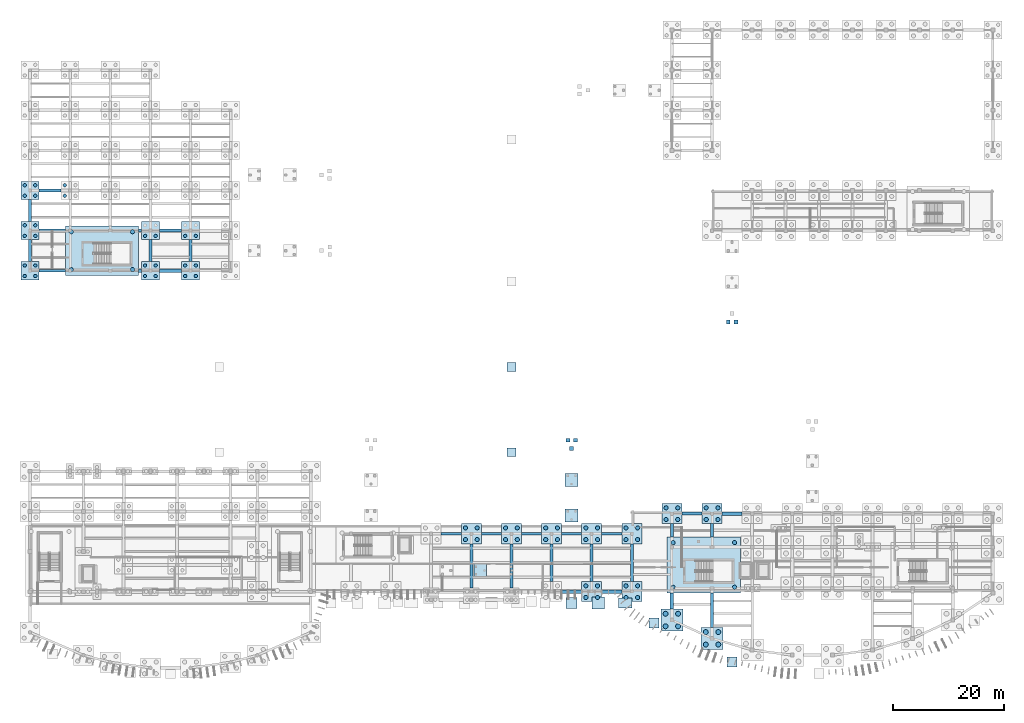
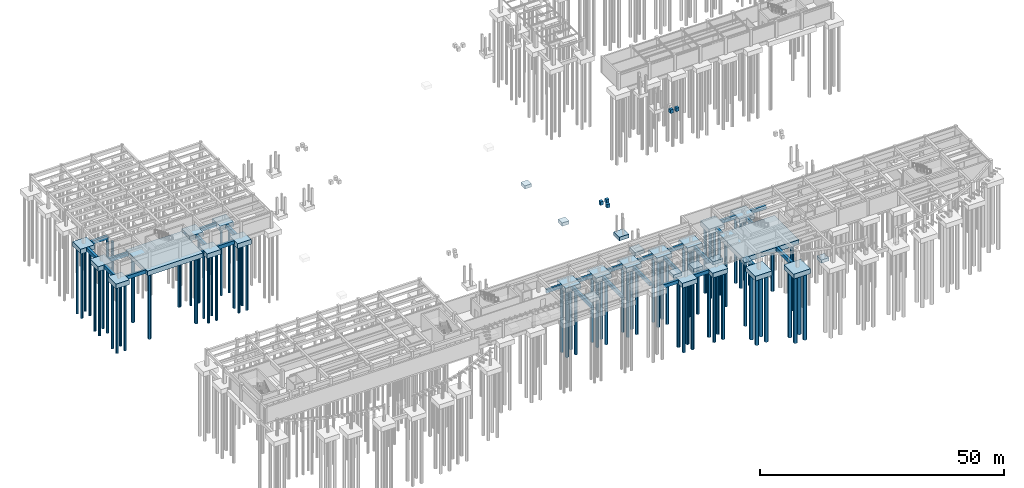
# One storey, part 3 of 31: 78 piles, 64 footings.
"""IFC4 building model written with IfcOpenShell, lengths in metres."""

from ifc_helpers import new_model, si_unit, direction, frame, origin, origin_2d, place, context, subcontext, project, spatial, rectangle, circle, extrude, material, material_profile, profile_set, type_object, element, save


model = new_model("IFC4")

# Units and contexts
model_context = context("Model", 3, precision=1e-05, world=origin(), true_north=direction((0.0, 1.0)))
body_context = subcontext(model_context, "Body", "Model", "MODEL_VIEW")
ifc_project = project(units=[si_unit("LENGTHUNIT", "METRE"), si_unit("AREAUNIT", "SQUARE_METRE"), si_unit("VOLUMEUNIT", "CUBIC_METRE"), si_unit("PLANEANGLEUNIT", "RADIAN"), si_unit("MASSUNIT", "GRAM", prefix="KILO")], contexts=[model_context])

# Site, building, storey
site_placement = place(None, origin())
site = spatial("IfcSite", under=ifc_project, at=site_placement, CompositionType="ELEMENT")
building_placement = place(site_placement, origin())
building = spatial("IfcBuilding", under=site, at=building_placement, Name="Brisavento Harbour Community Centre", CompositionType="ELEMENT")
storey_placement = place(building_placement, frame((0.0, 0.0, -4.199951171875)))
storey = spatial("IfcBuildingStorey", under=building, at=storey_placement, Name="B1", CompositionType="ELEMENT", Elevation=-4.199951171875)

# Footings
ifc_material = material(Name="Concrete C35/45", Category="concrete")
footing_type_1 = type_object("IfcFootingType", Name="FTG-GB-01", PredefinedType="FOOTING_BEAM", material=ifc_material)
for number, where, z_axis, x_axis, name in (
    (1, (75.60009765625, 24.800048828125, -0.89990234375), (0.0, 0.0, 1.0), (1.0, 0.0, 0.0), "Ground tie beam GB-054"),
    (2, (82.800048828125, 24.800048828125, -0.89990234375), (0.0, 0.0, 1.0), (1.0, 0.0, 0.0), "Ground tie beam GB-057"),
    (3, (90.0, 24.800048828125, -0.89990234375), (0.0, 0.0, 1.0), (1.0, 0.0, 0.0), "Ground tie beam GB-060"),
    (4, (97.199951171875, 24.800048828125, -0.89990234375), (0.0, 0.0, 1.0), (1.0, 0.0, 0.0), "Ground tie beam GB-063"),
    (5, (104.39990234375, 24.800048828125, -0.89990234375), (0.0, 0.0, 1.0), (1.0, 0.0, 0.0), "Ground tie beam GB-066"),
):
    element("IfcFooting", number, at=place(storey_placement, frame(where, z_axis=z_axis, x_axis=x_axis)), inside=storey, type_object=footing_type_1, Name=name, PredefinedType="FOOTING_BEAM", context=body_context, shape_type="SweptSolid", body=[
        extrude(rectangle(XDim=3.60009765625, YDim=0.5, at=origin_2d()), origin(), (0.0, 0.0, 1.0), 0.89990234375),
    ])
footing_1_placement = place(storey_placement, frame((115.199951171875, 25.425048828125, -0.89990234375), z_axis=(0.0, 0.0, 1.0), x_axis=(1.0, 0.0, 0.0)))
element("IfcFooting", 6, at=footing_1_placement, inside=storey, type_object=footing_type_1, Name="Ground tie beam GB-069", PredefinedType="FOOTING_BEAM", context=body_context, shape_type="SweptSolid", body=[
    extrude(rectangle(XDim=0.5, YDim=2.35009765625, at=origin_2d()), origin(), (0.0, 0.0, 1.0), 0.89990234375),
])
footing_2_placement = place(storey_placement, frame((3.987548828125, 72.0, -0.89990234375), z_axis=(0.0, 0.0, 1.0), x_axis=(1.0, 0.0, 0.0)))
element("IfcFooting", 7, at=footing_2_placement, inside=storey, type_object=footing_type_1, Name="Ground tie beam GB-144", PredefinedType="FOOTING_BEAM", context=body_context, shape_type="SweptSolid", body=[
    extrude(rectangle(XDim=4.72509765625, YDim=0.5, at=origin_2d()), origin(), (0.0, 0.0, 1.0), 0.89990234375),
])
footing_3_placement = place(storey_placement, frame((19.71240234375, 79.199951171875, -0.89990234375), z_axis=(0.0, 0.0, 1.0), x_axis=(1.0, 0.0, 0.0)))
element("IfcFooting", 8, at=footing_3_placement, inside=storey, type_object=footing_type_1, Name="Ground tie beam GB-162", PredefinedType="FOOTING_BEAM", context=body_context, shape_type="SweptSolid", body=[
    extrude(rectangle(XDim=0.52490234375, YDim=0.5, at=origin_2d()), origin(), (0.0, 0.0, 1.0), 0.89990234375),
])
footing_type_2 = type_object("IfcFootingType", Name="FTG-GB-02", PredefinedType="FOOTING_BEAM", material=ifc_material)
for number, where, z_axis, x_axis, name in (
    (9, (79.199951171875, 19.050048828125, -0.89990234375), (0.0, 0.0, 1.0), (1.0, 0.0, 0.0), "Ground tie beam GB-055"),
    (10, (86.39990234375, 19.050048828125, -0.89990234375), (0.0, 0.0, 1.0), (1.0, 0.0, 0.0), "Ground tie beam GB-058"),
):
    element("IfcFooting", number, at=place(storey_placement, frame(where, z_axis=z_axis, x_axis=x_axis)), inside=storey, type_object=footing_type_2, Name=name, PredefinedType="FOOTING_BEAM", context=body_context, shape_type="SweptSolid", body=[
        extrude(rectangle(XDim=0.550048828125, YDim=7.89990234375, at=origin_2d()), origin(), (0.0, 0.0, 1.0), 0.89990234375),
    ])
for number, where, z_axis, x_axis, name in (
    (11, (93.60009765625, 19.60009765625, -0.89990234375), (0.0, 0.0, 1.0), (1.0, 0.0, 0.0), "Ground tie beam GB-061"),
    (12, (100.800048828125, 19.60009765625, -0.89990234375), (0.0, 0.0, 1.0), (1.0, 0.0, 0.0), "Ground tie beam GB-064"),
    (13, (108.0, 19.60009765625, -0.89990234375), (0.0, 0.0, 1.0), (1.0, 0.0, 0.0), "Ground tie beam GB-067"),
):
    element("IfcFooting", number, at=place(storey_placement, frame(where, z_axis=z_axis, x_axis=x_axis)), inside=storey, type_object=footing_type_2, Name=name, PredefinedType="FOOTING_BEAM", context=body_context, shape_type="SweptSolid", body=[
        extrude(rectangle(XDim=0.550048828125, YDim=6.800048828125, at=origin_2d()), origin(), (0.0, 0.0, 1.0), 0.89990234375),
    ])
footing_4_placement = place(storey_placement, frame((118.800048828125, 28.39990234375, -0.89990234375), z_axis=(0.0, 0.0, 1.0), x_axis=(1.0, 0.0, 0.0)))
element("IfcFooting", 14, at=footing_4_placement, inside=storey, type_object=footing_type_2, Name="Ground tie beam GB-070", PredefinedType="FOOTING_BEAM", context=body_context, shape_type="SweptSolid", body=[
    extrude(rectangle(XDim=3.60009765625, YDim=0.550048828125, at=origin_2d()), origin(), (0.0, 0.0, 1.0), 0.89990234375),
])
footing_5_placement = place(storey_placement, frame((122.39990234375, 25.425048828125, -0.89990234375), z_axis=(0.0, 0.0, 1.0), x_axis=(1.0, 0.0, 0.0)))
element("IfcFooting", 15, at=footing_5_placement, inside=storey, type_object=footing_type_2, Name="Ground tie beam GB-073", PredefinedType="FOOTING_BEAM", context=body_context, shape_type="SweptSolid", body=[
    extrude(rectangle(XDim=0.550048828125, YDim=2.35009765625, at=origin_2d()), origin(), (0.0, 0.0, 1.0), 0.89990234375),
])
footing_6_placement = place(storey_placement, frame((0.0, 82.800048828125, -0.89990234375), z_axis=(0.0, 0.0, 1.0), x_axis=(1.0, 0.0, 0.0)))
element("IfcFooting", 16, at=footing_6_placement, inside=storey, type_object=footing_type_2, Name="Ground tie beam GB-145", PredefinedType="FOOTING_BEAM", context=body_context, shape_type="SweptSolid", body=[
    extrude(rectangle(XDim=0.550048828125, YDim=3.949951171875, at=origin_2d()), origin(), (0.0, 0.0, 1.0), 0.89990234375),
])
footing_7_placement = place(storey_placement, frame((3.60009765625, 86.39990234375, -0.89990234375), z_axis=(0.0, 0.0, 1.0), x_axis=(1.0, 0.0, 0.0)))
element("IfcFooting", 17, at=footing_7_placement, inside=storey, type_object=footing_type_2, Name="Ground tie beam GB-148", PredefinedType="FOOTING_BEAM", context=body_context, shape_type="SweptSolid", body=[
    extrude(rectangle(XDim=3.949951171875, YDim=0.550048828125, at=origin_2d()), origin(), (0.0, 0.0, 1.0), 0.89990234375),
])
footing_8_placement = place(storey_placement, frame((19.71240234375, 72.0, -0.89990234375), z_axis=(0.0, 0.0, 1.0), x_axis=(1.0, 0.0, 0.0)))
element("IfcFooting", 18, at=footing_8_placement, inside=storey, type_object=footing_type_2, Name="Ground tie beam GB-160", PredefinedType="FOOTING_BEAM", context=body_context, shape_type="SweptSolid", body=[
    extrude(rectangle(XDim=0.52490234375, YDim=0.550048828125, at=origin_2d()), origin(), (0.0, 0.0, 1.0), 0.89990234375),
])
footing_9_placement = place(storey_placement, frame((21.60009765625, 75.60009765625, -0.89990234375), z_axis=(0.0, 0.0, 1.0), x_axis=(1.0, 0.0, 0.0)))
element("IfcFooting", 19, at=footing_9_placement, inside=storey, type_object=footing_type_2, Name="Ground tie beam GB-169", PredefinedType="FOOTING_BEAM", context=body_context, shape_type="SweptSolid", body=[
    extrude(rectangle(XDim=0.550048828125, YDim=3.949951171875, at=origin_2d()), origin(), (0.0, 0.0, 1.0), 0.89990234375),
])
footing_10_placement = place(storey_placement, frame((25.199951171875, 79.199951171875, -0.89990234375), z_axis=(0.0, 0.0, 1.0), x_axis=(1.0, 0.0, 0.0)))
element("IfcFooting", 20, at=footing_10_placement, inside=storey, type_object=footing_type_2, Name="Ground tie beam GB-172", PredefinedType="FOOTING_BEAM", context=body_context, shape_type="SweptSolid", body=[
    extrude(rectangle(XDim=3.949951171875, YDim=0.550048828125, at=origin_2d()), origin(), (0.0, 0.0, 1.0), 0.89990234375),
])
footing_type_3 = type_object("IfcFootingType", Name="FTG-GB-03", PredefinedType="FOOTING_BEAM", material=ifc_material)
for number, where, z_axis, x_axis, name in (
    (21, (97.199951171875, 14.39990234375, -0.89990234375), (0.0, 0.0, 1.0), (1.0, 0.0, 0.0), "Ground tie beam GB-062"),
    (22, (104.39990234375, 14.39990234375, -0.89990234375), (0.0, 0.0, 1.0), (1.0, 0.0, 0.0), "Ground tie beam GB-065"),
):
    element("IfcFooting", number, at=place(storey_placement, frame(where, z_axis=z_axis, x_axis=x_axis)), inside=storey, type_object=footing_type_3, Name=name, PredefinedType="FOOTING_BEAM", context=body_context, shape_type="SweptSolid", body=[
        extrude(rectangle(XDim=3.60009765625, YDim=0.60009765625, at=origin_2d()), origin(), (0.0, 0.0, 1.0), 0.89990234375),
    ])
footing_11_placement = place(storey_placement, frame((115.199951171875, 12.73193359375, -0.89990234375), z_axis=(0.0, 0.0, 1.0), x_axis=(1.0, 0.0, 0.0)))
element("IfcFooting", 23, at=footing_11_placement, inside=storey, type_object=footing_type_3, Name="Ground tie beam GB-068", PredefinedType="FOOTING_BEAM", context=body_context, shape_type="SweptSolid", body=[
    extrude(rectangle(XDim=0.60009765625, YDim=2.8359375, at=origin_2d()), origin(), (0.0, 0.0, 1.0), 0.89990234375),
])
footing_12_placement = place(storey_placement, frame((122.39990234375, 11.08251953125, -0.89990234375), z_axis=(0.0, 0.0, 1.0), x_axis=(1.0, 0.0, 0.0)))
element("IfcFooting", 24, at=footing_12_placement, inside=storey, type_object=footing_type_3, Name="Ground tie beam GB-071", PredefinedType="FOOTING_BEAM", context=body_context, shape_type="SweptSolid", body=[
    extrude(rectangle(XDim=0.60009765625, YDim=6.135009765625, at=origin_2d()), origin(), (0.0, 0.0, 1.0), 0.89990234375),
])
footing_13_placement = place(storey_placement, frame((126.0, 28.39990234375, -0.89990234375), z_axis=(0.0, 0.0, 1.0), x_axis=(1.0, 0.0, 0.0)))
element("IfcFooting", 25, at=footing_13_placement, inside=storey, type_object=footing_type_3, Name="Ground tie beam GB-074", PredefinedType="FOOTING_BEAM", context=body_context, shape_type="SweptSolid", body=[
    extrude(rectangle(XDim=3.60009765625, YDim=0.60009765625, at=origin_2d()), origin(), (0.0, 0.0, 1.0), 0.89990234375),
])
footing_14_placement = place(storey_placement, frame((0.0, 75.60009765625, -0.89990234375), z_axis=(0.0, 0.0, 1.0), x_axis=(1.0, 0.0, 0.0)))
element("IfcFooting", 26, at=footing_14_placement, inside=storey, type_object=footing_type_3, Name="Ground tie beam GB-143", PredefinedType="FOOTING_BEAM", context=body_context, shape_type="SweptSolid", body=[
    extrude(rectangle(XDim=0.60009765625, YDim=3.949951171875, at=origin_2d()), origin(), (0.0, 0.0, 1.0), 0.89990234375),
])
footing_15_placement = place(storey_placement, frame((3.987548828125, 79.199951171875, -0.89990234375), z_axis=(0.0, 0.0, 1.0), x_axis=(1.0, 0.0, 0.0)))
element("IfcFooting", 27, at=footing_15_placement, inside=storey, type_object=footing_type_3, Name="Ground tie beam GB-146", PredefinedType="FOOTING_BEAM", context=body_context, shape_type="SweptSolid", body=[
    extrude(rectangle(XDim=4.72509765625, YDim=0.60009765625, at=origin_2d()), origin(), (0.0, 0.0, 1.0), 0.89990234375),
])
footing_16_placement = place(storey_placement, frame((25.199951171875, 72.0, -0.89990234375), z_axis=(0.0, 0.0, 1.0), x_axis=(1.0, 0.0, 0.0)))
element("IfcFooting", 28, at=footing_16_placement, inside=storey, type_object=footing_type_3, Name="Ground tie beam GB-170", PredefinedType="FOOTING_BEAM", context=body_context, shape_type="SweptSolid", body=[
    extrude(rectangle(XDim=3.949951171875, YDim=0.60009765625, at=origin_2d()), origin(), (0.0, 0.0, 1.0), 0.89990234375),
])
footing_17_placement = place(storey_placement, frame((28.800048828125, 75.60009765625, -0.89990234375), z_axis=(0.0, 0.0, 1.0), x_axis=(1.0, 0.0, 0.0)))
element("IfcFooting", 29, at=footing_17_placement, inside=storey, type_object=footing_type_3, Name="Ground tie beam GB-179", PredefinedType="FOOTING_BEAM", context=body_context, shape_type="SweptSolid", body=[
    extrude(rectangle(XDim=0.60009765625, YDim=3.949951171875, at=origin_2d()), origin(), (0.0, 0.0, 1.0), 0.89990234375),
])
footing_type_4 = type_object("IfcFootingType", Name="FTG-MAT-C3A", PredefinedType="PILE_CAP", material=ifc_material)
footing_18_placement = place(storey_placement, frame((120.925048828125, 19.199951171875, -1.2001953125), z_axis=(0.0, 0.0, 1.0), x_axis=(1.0, 0.0, 0.0)))
element("IfcFooting", 30, at=footing_18_placement, inside=storey, type_object=footing_type_4, Name="Stair core C3A mat pile cap", PredefinedType="PILE_CAP", context=body_context, shape_type="SweptSolid", body=[
    extrude(rectangle(XDim=13.14990234375, YDim=10.10009765625, at=origin_2d()), origin(), (0.0, 0.0, 1.0), 1.199951171875),
])
footing_type_5 = type_object("IfcFootingType", Name="FTG-MAT-C5", PredefinedType="PILE_CAP", material=ifc_material)
footing_19_placement = place(storey_placement, frame((12.89990234375, 75.60009765625, -1.2001953125), z_axis=(0.0, 0.0, 1.0), x_axis=(1.0, 0.0, 0.0)))
element("IfcFooting", 31, at=footing_19_placement, inside=storey, type_object=footing_type_5, Name="Stair core C5 mat pile cap", PredefinedType="PILE_CAP", context=body_context, shape_type="SweptSolid", body=[
    extrude(rectangle(XDim=13.10009765625, YDim=8.89990234375, at=origin_2d()), origin(), (0.0, 0.0, 1.0), 1.199951171875),
])
footing_type_6 = type_object("IfcFootingType", Name="FTG-MST-MST-02-MID", PredefinedType="PAD_FOOTING", material=ifc_material)
footing_20_placement = place(storey_placement, frame((97.199951171875, 34.455078125, -0.89990234375), z_axis=(0.0, 0.0, 1.0), x_axis=(1.0, 0.0, 0.0)))
element("IfcFooting", 32, at=footing_20_placement, inside=storey, type_object=footing_type_6, Name="MST-02 MID landing pad footing", PredefinedType="PAD_FOOTING", context=body_context, shape_type="SweptSolid", body=[
    extrude(rectangle(XDim=2.300048828125, YDim=2.300048828125, at=origin_2d()), origin(), (0.0, 0.0, 1.0), 0.89990234375),
])
footing_type_7 = type_object("IfcFootingType", Name="FTG-MST-MST-02-TOP", PredefinedType="PAD_FOOTING", material=ifc_material)
footing_21_placement = place(storey_placement, frame((97.199951171875, 28.0849609375, -0.89990234375), z_axis=(0.0, 0.0, 1.0), x_axis=(1.0, 0.0, 0.0)))
element("IfcFooting", 33, at=footing_21_placement, inside=storey, type_object=footing_type_7, Name="MST-02 TOP landing pad footing", PredefinedType="PAD_FOOTING", context=body_context, shape_type="SweptSolid", body=[
    extrude(rectangle(XDim=2.300048828125, YDim=2.300048828125, at=origin_2d()), origin(), (0.0, 0.0, 1.0), 0.89990234375),
])
footing_type_8 = type_object("IfcFootingType", Name="FTG-MST-MST-08-MID", PredefinedType="PAD_FOOTING", material=ifc_material)
footing_22_placement = place(storey_placement, frame((80.794921875, 18.199951171875, -0.89990234375), z_axis=(0.0, 0.0, 1.0), x_axis=(1.0, 0.0, 0.0)))
element("IfcFooting", 34, at=footing_22_placement, inside=storey, type_object=footing_type_8, Name="MST-08 MID landing pad footing", PredefinedType="PAD_FOOTING", context=body_context, shape_type="SweptSolid", body=[
    extrude(rectangle(XDim=2.300048828125, YDim=2.300048828125, at=origin_2d()), origin(), (0.0, 0.0, 1.0), 0.89990234375),
])
footing_type_9 = type_object("IfcFootingType", Name="FTG-PC-4A", PredefinedType="PILE_CAP", material=ifc_material)
for number, where, z_axis, x_axis, name in (
    (35, (0.0, 72.0, -1.2001953125), (0.0, 0.0, 1.0), (1.0, 0.0, 0.0), "Pile cap PC-138"),
    (36, (0.0, 79.199951171875, -1.2001953125), (0.0, 0.0, 1.0), (1.0, 0.0, 0.0), "Pile cap PC-139"),
    (37, (0.0, 86.39990234375, -1.2001953125), (0.0, 0.0, 1.0), (1.0, 0.0, 0.0), "Pile cap PC-140"),
    (38, (21.60009765625, 72.0, -1.2001953125), (0.0, 0.0, 1.0), (1.0, 0.0, 0.0), "Pile cap PC-153"),
    (39, (21.60009765625, 79.199951171875, -1.2001953125), (0.0, 0.0, 1.0), (1.0, 0.0, 0.0), "Pile cap PC-154"),
    (40, (28.800048828125, 72.0, -1.2001953125), (0.0, 0.0, 1.0), (1.0, 0.0, 0.0), "Pile cap PC-158"),
    (41, (28.800048828125, 79.199951171875, -1.2001953125), (0.0, 0.0, 1.0), (1.0, 0.0, 0.0), "Pile cap PC-159"),
):
    element("IfcFooting", number, at=place(storey_placement, frame(where, z_axis=z_axis, x_axis=x_axis)), inside=storey, type_object=footing_type_9, Name=name, PredefinedType="PILE_CAP", context=body_context, shape_type="SweptSolid", body=[
        extrude(rectangle(XDim=3.25, YDim=3.25, at=origin_2d()), origin(), (0.0, 0.0, 1.0), 1.199951171875),
    ])
footing_type_10 = type_object("IfcFootingType", Name="FTG-PC-4B", PredefinedType="PILE_CAP", material=ifc_material)
for number, where, z_axis, x_axis, name in (
    (42, (79.199951171875, 24.800048828125, -1.2001953125), (0.0, 0.0, 1.0), (1.0, 0.0, 0.0), "Pile cap PC-052"),
    (43, (86.39990234375, 24.800048828125, -1.2001953125), (0.0, 0.0, 1.0), (1.0, 0.0, 0.0), "Pile cap PC-054"),
    (44, (93.60009765625, 24.800048828125, -1.2001953125), (0.0, 0.0, 1.0), (1.0, 0.0, 0.0), "Pile cap PC-056"),
    (45, (100.800048828125, 14.39990234375, -1.2001953125), (0.0, 0.0, 1.0), (1.0, 0.0, 0.0), "Pile cap PC-057"),
    (46, (100.800048828125, 24.800048828125, -1.2001953125), (0.0, 0.0, 1.0), (1.0, 0.0, 0.0), "Pile cap PC-058"),
    (47, (108.0, 14.39990234375, -1.2001953125), (0.0, 0.0, 1.0), (1.0, 0.0, 0.0), "Pile cap PC-059"),
    (48, (108.0, 24.800048828125, -1.2001953125), (0.0, 0.0, 1.0), (1.0, 0.0, 0.0), "Pile cap PC-060"),
    (49, (115.199951171875, 28.39990234375, -1.2001953125), (0.0, 0.0, 1.0), (1.0, 0.0, 0.0), "Pile cap PC-064"),
    (50, (122.39990234375, 28.39990234375, -1.2001953125), (0.0, 0.0, 1.0), (1.0, 0.0, 0.0), "Pile cap PC-068"),
):
    element("IfcFooting", number, at=place(storey_placement, frame(where, z_axis=z_axis, x_axis=x_axis)), inside=storey, type_object=footing_type_10, Name=name, PredefinedType="PILE_CAP", context=body_context, shape_type="SweptSolid", body=[
        extrude(rectangle(XDim=3.60009765625, YDim=3.60009765625, at=origin_2d()), origin(), (0.0, 0.0, 1.0), 1.199951171875),
    ])
footing_type_11 = type_object("IfcFootingType", Name="FTG-PC-4C", PredefinedType="PILE_CAP", material=ifc_material)
for number, where, z_axis, x_axis, name in (
    (51, (115.199951171875, 9.31396484375, -1.2001953125), (0.0, 0.0, 1.0), (1.0, 0.0, 0.0), "Pile cap PC-061"),
    (52, (122.39990234375, 6.014892578125, -1.2001953125), (0.0, 0.0, 1.0), (1.0, 0.0, 0.0), "Pile cap PC-065"),
):
    element("IfcFooting", number, at=place(storey_placement, frame(where, z_axis=z_axis, x_axis=x_axis)), inside=storey, type_object=footing_type_11, Name=name, PredefinedType="PILE_CAP", context=body_context, shape_type="SweptSolid", body=[
        extrude(rectangle(XDim=4.0, YDim=4.0, at=origin_2d()), origin(), (0.0, 0.0, 1.0), 1.199951171875),
    ])
footing_type_12 = type_object("IfcFootingType", Name="FTG-PF-02", PredefinedType="PAD_FOOTING", material=ifc_material)
footing_23_placement = place(storey_placement, frame((97.199951171875, 12.35009765625, 2.97998046875), z_axis=(0.0, 0.0, 1.0), x_axis=(1.0, 0.0, 0.0)))
element("IfcFooting", 53, at=footing_23_placement, inside=storey, type_object=footing_type_12, Name="Colonnade pad footing 10", PredefinedType="PAD_FOOTING", context=body_context, shape_type="SweptSolid", body=[
    extrude(rectangle(XDim=2.0, YDim=2.0, at=origin_2d()), origin(), (0.0, 0.0, 1.0), 0.800048828125),
])
footing_type_13 = type_object("IfcFootingType", Name="FTG-PF-03", PredefinedType="PAD_FOOTING", material=ifc_material)
footing_24_placement = place(storey_placement, frame((102.0, 12.35009765625, 2.929931640625), z_axis=(0.0, 0.0, 1.0), x_axis=(1.0, 0.0, 0.0)))
element("IfcFooting", 54, at=footing_24_placement, inside=storey, type_object=footing_type_13, Name="Colonnade pad footing 11", PredefinedType="PAD_FOOTING", context=body_context, shape_type="SweptSolid", body=[
    extrude(rectangle(XDim=2.199951171875, YDim=2.199951171875, at=origin_2d()), origin(), (0.0, 0.0, 1.0), 0.85009765625),
])
footing_type_14 = type_object("IfcFootingType", Name="FTG-PF-04", PredefinedType="PAD_FOOTING", material=ifc_material)
footing_25_placement = place(storey_placement, frame((106.800048828125, 12.35009765625, 2.97998046875), z_axis=(0.0, 0.0, 1.0), x_axis=(1.0, 0.0, 0.0)))
element("IfcFooting", 55, at=footing_25_placement, inside=storey, type_object=footing_type_14, Name="Colonnade pad footing 12", PredefinedType="PAD_FOOTING", context=body_context, shape_type="SweptSolid", body=[
    extrude(rectangle(XDim=2.39990234375, YDim=1.800048828125, at=origin_2d()), origin(), (0.0, 0.0, 1.0), 0.800048828125),
])
footing_type_15 = type_object("IfcFootingType", Name="FTG-PF-05", PredefinedType="PAD_FOOTING", material=ifc_material)
for number, where, z_axis, x_axis, name in (
    (56, (112.0, 8.800048828125, 2.97998046875), (0.0, 0.0, 1.0), (1.0, 0.0, 0.0), "Colonnade plinth pad footing V3-1"),
    (57, (126.0, 1.800048828125, 2.97998046875), (0.0, 0.0, 1.0), (1.0, 0.0, 0.0), "Colonnade plinth pad footing V3-4"),
):
    element("IfcFooting", number, at=place(storey_placement, frame(where, z_axis=z_axis, x_axis=x_axis)), inside=storey, type_object=footing_type_15, Name=name, PredefinedType="PAD_FOOTING", context=body_context, shape_type="SweptSolid", body=[
        extrude(rectangle(XDim=1.800048828125, YDim=1.800048828125, at=origin_2d()), origin(), (0.0, 0.0, 1.0), 0.800048828125),
    ])
footing_type_16 = type_object("IfcFootingType", Name="FTG-PF-06", PredefinedType="PAD_FOOTING", material=ifc_material)
for number, where, z_axis, x_axis, name in (
    (58, (86.39990234375, 39.425048828125, 3.19970703125), (0.0, 0.0, 1.0), (1.0, 0.0, 0.0), "Courtyard plaza grade pad footing 03"),
    (59, (86.39990234375, 54.739990234375, 3.19970703125), (0.0, 0.0, 1.0), (1.0, 0.0, 0.0), "Courtyard plaza grade pad footing 06"),
):
    element("IfcFooting", number, at=place(storey_placement, frame(where, z_axis=z_axis, x_axis=x_axis)), inside=storey, type_object=footing_type_16, Name=name, PredefinedType="PAD_FOOTING", context=body_context, shape_type="SweptSolid", body=[
        extrude(rectangle(XDim=1.60009765625, YDim=1.60009765625, at=origin_2d()), origin(), (0.0, 0.0, 1.0), 0.800048828125),
    ])
footing_type_17 = type_object("IfcFootingType", Name="FTG-PF-07", PredefinedType="PAD_FOOTING", material=ifc_material)
for number, where, z_axis, x_axis, name in (
    (60, (96.52001953125, 41.570068359375, 3.10009765625), (0.0, 0.0, 1.0), (1.0, 0.0, 0.0), "MST-02 BOT support footing 1"),
    (61, (97.8798828125, 41.570068359375, 3.10009765625), (0.0, 0.0, 1.0), (1.0, 0.0, 0.0), "MST-02 BOT support footing 2"),
    (62, (97.199951171875, 40.080078125, 3.10009765625), (0.0, 0.0, 1.0), (1.0, 0.0, 0.0), "MST-02 BOT support footing 3"),
    (63, (126.68994140625, 62.81005859375, 3.10009765625), (0.0, 0.0, 1.0), (1.0, 0.0, 0.0), "MST-03 BOT support footing 1"),
    (64, (125.31005859375, 62.81005859375, 3.10009765625), (0.0, 0.0, 1.0), (1.0, 0.0, 0.0), "MST-03 BOT support footing 2"),
):
    element("IfcFooting", number, at=place(storey_placement, frame(where, z_axis=z_axis, x_axis=x_axis)), inside=storey, type_object=footing_type_17, Name=name, PredefinedType="PAD_FOOTING", context=body_context, shape_type="SweptSolid", body=[
        extrude(rectangle(XDim=0.699951171875, YDim=0.699951171875, at=origin_2d()), origin(), (0.0, 0.0, 1.0), 0.89990234375),
    ])

# Piles
ifc_material_profile_1 = material_profile(ifc_material, circle(Radius=0.300048828125, at=origin_2d()), Name="Concrete C35/45")
ifc_profile_set_1 = profile_set([ifc_material_profile_1], Name="Concrete C35/45")
pile_type_1 = type_object("IfcPileType", Name="PILE-600", PredefinedType="BORED", material=ifc_profile_set_1)
for number, where, z_axis, x_axis, name in (
    (65, (-0.949951171875, 71.050048828125, -1.10009765625), (0.0, 0.0, -1.0), (1.0, 0.0, 0.0), "Bored pile PC-138-P1"),
    (66, (0.949951171875, 71.050048828125, -1.10009765625), (0.0, 0.0, -1.0), (1.0, 0.0, 0.0), "Bored pile PC-138-P2"),
    (67, (-0.949951171875, 72.949951171875, -1.10009765625), (0.0, 0.0, -1.0), (1.0, 0.0, 0.0), "Bored pile PC-138-P3"),
    (68, (0.949951171875, 72.949951171875, -1.10009765625), (0.0, 0.0, -1.0), (1.0, 0.0, 0.0), "Bored pile PC-138-P4"),
    (69, (-0.949951171875, 78.25, -1.10009765625), (0.0, 0.0, -1.0), (1.0, 0.0, 0.0), "Bored pile PC-139-P1"),
    (70, (0.949951171875, 78.25, -1.10009765625), (0.0, 0.0, -1.0), (1.0, 0.0, 0.0), "Bored pile PC-139-P2"),
    (71, (-0.949951171875, 80.14990234375, -1.10009765625), (0.0, 0.0, -1.0), (1.0, 0.0, 0.0), "Bored pile PC-139-P3"),
    (72, (0.949951171875, 80.14990234375, -1.10009765625), (0.0, 0.0, -1.0), (1.0, 0.0, 0.0), "Bored pile PC-139-P4"),
    (73, (-0.949951171875, 85.449951171875, -1.10009765625), (0.0, 0.0, -1.0), (1.0, 0.0, 0.0), "Bored pile PC-140-P1"),
    (74, (0.949951171875, 85.449951171875, -1.10009765625), (0.0, 0.0, -1.0), (1.0, 0.0, 0.0), "Bored pile PC-140-P2"),
    (75, (-0.949951171875, 87.35009765625, -1.10009765625), (0.0, 0.0, -1.0), (1.0, 0.0, 0.0), "Bored pile PC-140-P3"),
    (76, (0.949951171875, 87.35009765625, -1.10009765625), (0.0, 0.0, -1.0), (1.0, 0.0, 0.0), "Bored pile PC-140-P4"),
    (77, (6.25, 85.449951171875, -1.10009765625), (0.0, 0.0, -1.0), (1.0, 0.0, 0.0), "Bored pile PC-145-P1"),
    (78, (6.25, 87.35009765625, -1.10009765625), (0.0, 0.0, -1.0), (1.0, 0.0, 0.0), "Bored pile PC-145-P3"),
    (79, (20.64990234375, 71.050048828125, -1.10009765625), (0.0, 0.0, -1.0), (1.0, 0.0, 0.0), "Bored pile PC-153-P1"),
    (80, (22.550048828125, 71.050048828125, -1.10009765625), (0.0, 0.0, -1.0), (1.0, 0.0, 0.0), "Bored pile PC-153-P2"),
    (81, (20.64990234375, 72.949951171875, -1.10009765625), (0.0, 0.0, -1.0), (1.0, 0.0, 0.0), "Bored pile PC-153-P3"),
    (82, (22.550048828125, 72.949951171875, -1.10009765625), (0.0, 0.0, -1.0), (1.0, 0.0, 0.0), "Bored pile PC-153-P4"),
    (83, (20.64990234375, 78.25, -1.10009765625), (0.0, 0.0, -1.0), (1.0, 0.0, 0.0), "Bored pile PC-154-P1"),
    (84, (22.550048828125, 78.25, -1.10009765625), (0.0, 0.0, -1.0), (1.0, 0.0, 0.0), "Bored pile PC-154-P2"),
    (85, (27.85009765625, 71.050048828125, -1.10009765625), (0.0, 0.0, -1.0), (1.0, 0.0, 0.0), "Bored pile PC-158-P1"),
    (86, (29.75, 71.050048828125, -1.10009765625), (0.0, 0.0, -1.0), (1.0, 0.0, 0.0), "Bored pile PC-158-P2"),
    (87, (27.85009765625, 72.949951171875, -1.10009765625), (0.0, 0.0, -1.0), (1.0, 0.0, 0.0), "Bored pile PC-158-P3"),
    (88, (29.75, 72.949951171875, -1.10009765625), (0.0, 0.0, -1.0), (1.0, 0.0, 0.0), "Bored pile PC-158-P4"),
    (89, (27.85009765625, 78.25, -1.10009765625), (0.0, 0.0, -1.0), (1.0, 0.0, 0.0), "Bored pile PC-159-P1"),
    (90, (29.75, 78.25, -1.10009765625), (0.0, 0.0, -1.0), (1.0, 0.0, 0.0), "Bored pile PC-159-P2"),
):
    element("IfcPile", number, at=place(storey_placement, frame(where, z_axis=z_axis, x_axis=x_axis)), inside=storey, type_object=pile_type_1, Name=name, PredefinedType="BORED", context=body_context, shape_type="SweptSolid", body=[
        extrude(circle(Radius=0.300048828125, at=origin_2d()), origin(), (0.0, 0.0, 1.0), 16.699951171875),
    ])
ifc_material_profile_2 = material_profile(ifc_material, circle(Radius=0.375, at=origin_2d()), Name="Concrete C35/45")
ifc_profile_set_2 = profile_set([ifc_material_profile_2], Name="Concrete C35/45")
pile_type_2 = type_object("IfcPileType", Name="PILE-750", PredefinedType="BORED", material=ifc_profile_set_2)
for number, where, z_axis, x_axis, name in (
    (91, (115.39990234375, 15.199951171875, -1.10009765625), (0.0, 0.0, -1.0), (1.0, 0.0, 0.0), "Core C3A bored pile P1"),
    (92, (126.449951171875, 15.199951171875, -1.10009765625), (0.0, 0.0, -1.0), (1.0, 0.0, 0.0), "Core C3A bored pile P2"),
    (93, (115.39990234375, 23.199951171875, -1.10009765625), (0.0, 0.0, -1.0), (1.0, 0.0, 0.0), "Core C3A bored pile P3"),
    (94, (126.449951171875, 23.199951171875, -1.10009765625), (0.0, 0.0, -1.0), (1.0, 0.0, 0.0), "Core C3A bored pile P4"),
    (95, (7.39990234375, 72.199951171875, -1.10009765625), (0.0, 0.0, -1.0), (1.0, 0.0, 0.0), "Core C5 bored pile P1"),
    (96, (18.39990234375, 72.199951171875, -1.10009765625), (0.0, 0.0, -1.0), (1.0, 0.0, 0.0), "Core C5 bored pile P2"),
    (97, (7.39990234375, 79.0, -1.10009765625), (0.0, 0.0, -1.0), (1.0, 0.0, 0.0), "Core C5 bored pile P3"),
    (98, (18.39990234375, 79.0, -1.10009765625), (0.0, 0.0, -1.0), (1.0, 0.0, 0.0), "Core C5 bored pile P4"),
    (99, (78.14990234375, 23.75, -1.10009765625), (0.0, 0.0, -1.0), (1.0, 0.0, 0.0), "Bored pile PC-052-P1"),
    (100, (80.25, 23.75, -1.10009765625), (0.0, 0.0, -1.0), (1.0, 0.0, 0.0), "Bored pile PC-052-P2"),
    (101, (78.14990234375, 25.85009765625, -1.10009765625), (0.0, 0.0, -1.0), (1.0, 0.0, 0.0), "Bored pile PC-052-P3"),
    (102, (80.25, 25.85009765625, -1.10009765625), (0.0, 0.0, -1.0), (1.0, 0.0, 0.0), "Bored pile PC-052-P4"),
    (103, (85.35009765625, 23.75, -1.10009765625), (0.0, 0.0, -1.0), (1.0, 0.0, 0.0), "Bored pile PC-054-P1"),
    (104, (87.449951171875, 23.75, -1.10009765625), (0.0, 0.0, -1.0), (1.0, 0.0, 0.0), "Bored pile PC-054-P2"),
    (105, (85.35009765625, 25.85009765625, -1.10009765625), (0.0, 0.0, -1.0), (1.0, 0.0, 0.0), "Bored pile PC-054-P3"),
    (106, (87.449951171875, 25.85009765625, -1.10009765625), (0.0, 0.0, -1.0), (1.0, 0.0, 0.0), "Bored pile PC-054-P4"),
    (107, (92.550048828125, 23.75, -1.10009765625), (0.0, 0.0, -1.0), (1.0, 0.0, 0.0), "Bored pile PC-056-P1"),
    (108, (94.64990234375, 23.75, -1.10009765625), (0.0, 0.0, -1.0), (1.0, 0.0, 0.0), "Bored pile PC-056-P2"),
    (109, (92.550048828125, 25.85009765625, -1.10009765625), (0.0, 0.0, -1.0), (1.0, 0.0, 0.0), "Bored pile PC-056-P3"),
    (110, (94.64990234375, 25.85009765625, -1.10009765625), (0.0, 0.0, -1.0), (1.0, 0.0, 0.0), "Bored pile PC-056-P4"),
    (111, (99.75, 13.35009765625, -1.10009765625), (0.0, 0.0, -1.0), (1.0, 0.0, 0.0), "Bored pile PC-057-P1"),
    (112, (101.85009765625, 13.35009765625, -1.10009765625), (0.0, 0.0, -1.0), (1.0, 0.0, 0.0), "Bored pile PC-057-P2"),
    (113, (99.75, 15.449951171875, -1.10009765625), (0.0, 0.0, -1.0), (1.0, 0.0, 0.0), "Bored pile PC-057-P3"),
    (114, (101.85009765625, 15.449951171875, -1.10009765625), (0.0, 0.0, -1.0), (1.0, 0.0, 0.0), "Bored pile PC-057-P4"),
    (115, (99.75, 23.75, -1.10009765625), (0.0, 0.0, -1.0), (1.0, 0.0, 0.0), "Bored pile PC-058-P1"),
    (116, (101.85009765625, 23.75, -1.10009765625), (0.0, 0.0, -1.0), (1.0, 0.0, 0.0), "Bored pile PC-058-P2"),
    (117, (99.75, 25.85009765625, -1.10009765625), (0.0, 0.0, -1.0), (1.0, 0.0, 0.0), "Bored pile PC-058-P3"),
    (118, (101.85009765625, 25.85009765625, -1.10009765625), (0.0, 0.0, -1.0), (1.0, 0.0, 0.0), "Bored pile PC-058-P4"),
    (119, (106.949951171875, 13.35009765625, -1.10009765625), (0.0, 0.0, -1.0), (1.0, 0.0, 0.0), "Bored pile PC-059-P1"),
    (120, (109.050048828125, 13.35009765625, -1.10009765625), (0.0, 0.0, -1.0), (1.0, 0.0, 0.0), "Bored pile PC-059-P2"),
    (121, (106.949951171875, 15.449951171875, -1.10009765625), (0.0, 0.0, -1.0), (1.0, 0.0, 0.0), "Bored pile PC-059-P3"),
    (122, (109.050048828125, 15.449951171875, -1.10009765625), (0.0, 0.0, -1.0), (1.0, 0.0, 0.0), "Bored pile PC-059-P4"),
    (123, (106.949951171875, 23.75, -1.10009765625), (0.0, 0.0, -1.0), (1.0, 0.0, 0.0), "Bored pile PC-060-P1"),
    (124, (109.050048828125, 23.75, -1.10009765625), (0.0, 0.0, -1.0), (1.0, 0.0, 0.0), "Bored pile PC-060-P2"),
    (125, (106.949951171875, 25.85009765625, -1.10009765625), (0.0, 0.0, -1.0), (1.0, 0.0, 0.0), "Bored pile PC-060-P3"),
    (126, (109.050048828125, 25.85009765625, -1.10009765625), (0.0, 0.0, -1.0), (1.0, 0.0, 0.0), "Bored pile PC-060-P4"),
    (127, (114.14990234375, 27.35009765625, -1.10009765625), (0.0, 0.0, -1.0), (1.0, 0.0, 0.0), "Bored pile PC-064-P1"),
    (128, (116.25, 27.35009765625, -1.10009765625), (0.0, 0.0, -1.0), (1.0, 0.0, 0.0), "Bored pile PC-064-P2"),
    (129, (114.14990234375, 29.449951171875, -1.10009765625), (0.0, 0.0, -1.0), (1.0, 0.0, 0.0), "Bored pile PC-064-P3"),
    (130, (116.25, 29.449951171875, -1.10009765625), (0.0, 0.0, -1.0), (1.0, 0.0, 0.0), "Bored pile PC-064-P4"),
    (131, (121.35009765625, 27.35009765625, -1.10009765625), (0.0, 0.0, -1.0), (1.0, 0.0, 0.0), "Bored pile PC-068-P1"),
    (132, (123.449951171875, 27.35009765625, -1.10009765625), (0.0, 0.0, -1.0), (1.0, 0.0, 0.0), "Bored pile PC-068-P2"),
    (133, (121.35009765625, 29.449951171875, -1.10009765625), (0.0, 0.0, -1.0), (1.0, 0.0, 0.0), "Bored pile PC-068-P3"),
    (134, (123.449951171875, 29.449951171875, -1.10009765625), (0.0, 0.0, -1.0), (1.0, 0.0, 0.0), "Bored pile PC-068-P4"),
):
    element("IfcPile", number, at=place(storey_placement, frame(where, z_axis=z_axis, x_axis=x_axis)), inside=storey, type_object=pile_type_2, Name=name, PredefinedType="BORED", context=body_context, shape_type="SweptSolid", body=[
        extrude(circle(Radius=0.375, at=origin_2d()), origin(), (0.0, 0.0, 1.0), 16.699951171875),
    ])
ifc_material_profile_3 = material_profile(ifc_material, circle(Radius=0.449951171875, at=origin_2d()), Name="Concrete C35/45")
ifc_profile_set_3 = profile_set([ifc_material_profile_3], Name="Concrete C35/45")
pile_type_3 = type_object("IfcPileType", Name="PILE-900", PredefinedType="BORED", material=ifc_profile_set_3)
for number, where, z_axis, x_axis, name in (
    (135, (114.074951171875, 8.18896484375, -1.10009765625), (0.0, 0.0, -1.0), (1.0, 0.0, 0.0), "Bored pile PC-061-P1"),
    (136, (116.324951171875, 8.18896484375, -1.10009765625), (0.0, 0.0, -1.0), (1.0, 0.0, 0.0), "Bored pile PC-061-P2"),
    (137, (114.074951171875, 10.43896484375, -1.10009765625), (0.0, 0.0, -1.0), (1.0, 0.0, 0.0), "Bored pile PC-061-P3"),
    (138, (116.324951171875, 10.43896484375, -1.10009765625), (0.0, 0.0, -1.0), (1.0, 0.0, 0.0), "Bored pile PC-061-P4"),
    (139, (121.27490234375, 4.889892578125, -1.10009765625), (0.0, 0.0, -1.0), (1.0, 0.0, 0.0), "Bored pile PC-065-P1"),
    (140, (123.52490234375, 4.889892578125, -1.10009765625), (0.0, 0.0, -1.0), (1.0, 0.0, 0.0), "Bored pile PC-065-P2"),
    (141, (121.27490234375, 7.139892578125, -1.10009765625), (0.0, 0.0, -1.0), (1.0, 0.0, 0.0), "Bored pile PC-065-P3"),
    (142, (123.52490234375, 7.139892578125, -1.10009765625), (0.0, 0.0, -1.0), (1.0, 0.0, 0.0), "Bored pile PC-065-P4"),
):
    element("IfcPile", number, at=place(storey_placement, frame(where, z_axis=z_axis, x_axis=x_axis)), inside=storey, type_object=pile_type_3, Name=name, PredefinedType="BORED", context=body_context, shape_type="SweptSolid", body=[
        extrude(circle(Radius=0.449951171875, at=origin_2d()), origin(), (0.0, 0.0, 1.0), 16.699951171875),
    ])

save(model, "model.ifc")
